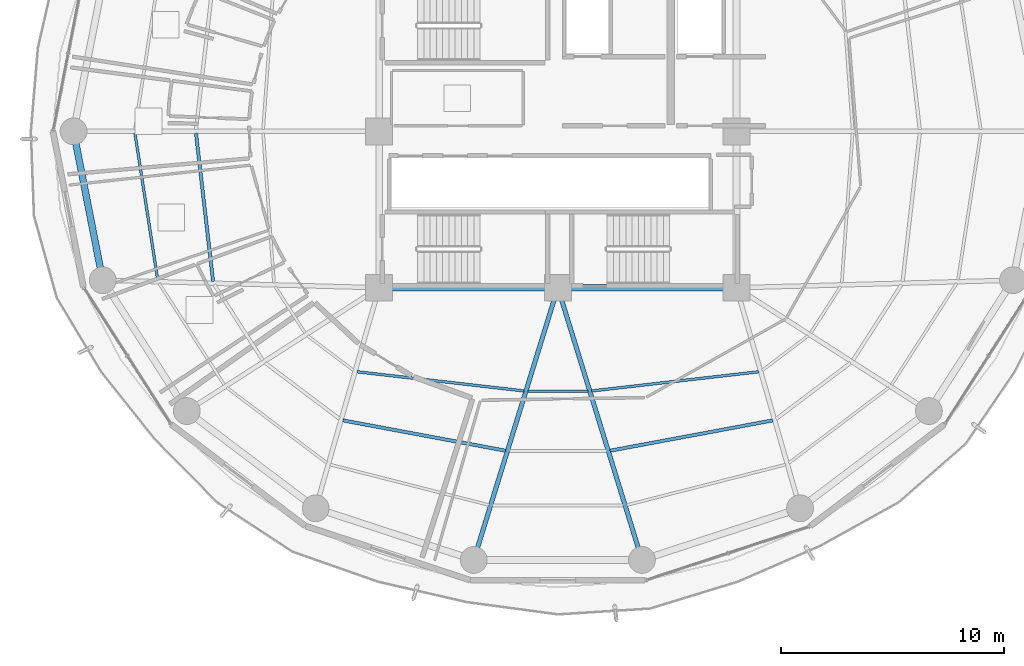
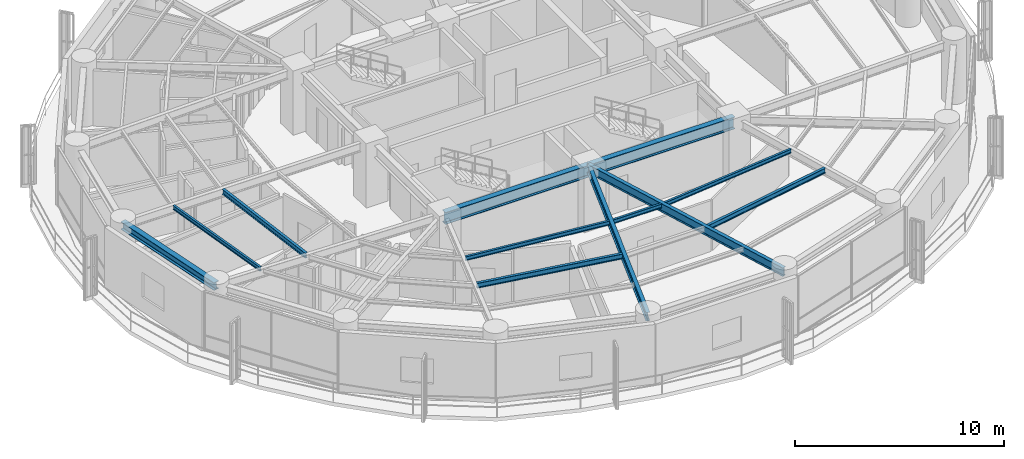
# One storey, part 5 of 27: 12 beams.
"""IFC4 building model written with IfcOpenShell, lengths in metres."""

from ifc_helpers import new_model, si_unit, direction, frame, origin, origin_2d, place, context, subcontext, project, spatial, i_section, extrude, material, material_profile, profile_set, type_object, element, save


model = new_model("IFC4")

# Units and contexts
model_context = context("Model", 3, precision=1e-05, world=origin(), true_north=direction((0.0, 1.0)))
body_context = subcontext(model_context, "Body", "Model", "MODEL_VIEW")
ifc_project = project(units=[si_unit("LENGTHUNIT", "METRE"), si_unit("AREAUNIT", "SQUARE_METRE"), si_unit("VOLUMEUNIT", "CUBIC_METRE"), si_unit("PLANEANGLEUNIT", "RADIAN"), si_unit("MASSUNIT", "GRAM", prefix="KILO")], contexts=[model_context])

# Site, building, storey
site_placement = place(None, origin())
site = spatial("IfcSite", under=ifc_project, at=site_placement, CompositionType="ELEMENT")
building_placement = place(site_placement, origin())
building = spatial("IfcBuilding", under=site, at=building_placement, Name="Kelanora Arch Commons", CompositionType="ELEMENT")
storey_placement = place(building_placement, frame((0.0, 0.0, 169.35009765625)))
storey = spatial("IfcBuildingStorey", under=building, at=storey_placement, Name="L43", CompositionType="ELEMENT", Elevation=169.35009765625)

# Beams
ifc_material = material(Name="Steel S355", Category="steel")
ifc_material_profile_1 = material_profile(ifc_material, i_section(OverallWidth=0.300048828125, OverallDepth=0.699951171875, WebThickness=0.01708984375, FlangeThickness=0.031982421875, FilletRadius=0.027099609375, at=origin_2d()), Name="HEB700")
ifc_profile_set_1 = profile_set([ifc_material_profile_1], Name="Steel S355")
beam_type_1 = type_object("IfcBeamType", Name="BM-CORE-HDR", PredefinedType="BEAM", material=ifc_profile_set_1)
for number, where, z_axis, x_axis, name in (
    (1, (66.0, 51.0, 3.139892578125), (1.0, 0.0, 0.0), (0.0, 1.0, 0.0), "Core Header Beam 01 L43"),
    (2, (74.0, 51.0, 3.139892578125), (1.0, 0.0, 0.0), (0.0, 1.0, 0.0), "Core Header Beam 02 L43"),
):
    element("IfcBeam", number, at=place(storey_placement, frame(where, z_axis=z_axis, x_axis=x_axis)), inside=storey, type_object=beam_type_1, Name=name, PredefinedType="BEAM", context=body_context, shape_type="SweptSolid", body=[
        extrude(i_section(OverallWidth=0.300048828125, OverallDepth=0.699951171875, WebThickness=0.01708984375, FlangeThickness=0.031982421875, FilletRadius=0.027099609375, at=origin_2d()), origin(), (0.0, 0.0, 1.0), 8.0),
    ])
ifc_material_profile_2 = material_profile(ifc_material, i_section(OverallWidth=0.14990234375, OverallDepth=0.300048828125, WebThickness=0.007080078125, FlangeThickness=0.0107421875, FilletRadius=0.014892578125, at=origin_2d()), Name="IPE300")
ifc_profile_set_2 = profile_set([ifc_material_profile_2], Name="Steel S355")
beam_type_2 = type_object("IfcBeamType", Name="BM-JST-01", PredefinedType="JOIST", material=ifc_profile_set_2)
beam_1_placement = place(storey_placement, frame((57.8017578125, 57.91552734375, 3.33984375), z_axis=(0.114667159005, -0.9934039675, 0.0), x_axis=(0.9934039675, 0.114667159005, 0.0)))
element("IfcBeam", 3, at=beam_1_placement, inside=storey, type_object=beam_type_2, Name="Secondary Chord Joist BJB-18 L43", PredefinedType="JOIST", context=body_context, shape_type="SweptSolid", body=[
    extrude(i_section(OverallWidth=0.14990234375, OverallDepth=0.300048828125, WebThickness=0.007080078125, FlangeThickness=0.0107421875, FilletRadius=0.014892578125, at=origin_2d()), origin(), (0.0, 0.0, 1.0), 6.672607421875),
])
for number, where, z_axis, x_axis, name in (
    (4, (64.379638671875, 45.062255859375, 3.33984375), (0.983054256126, -0.183314837134, 0.0), (0.183314837134, 0.983054256126, 0.0), "Secondary Chord Joist BJB-24 L43"),
    (5, (76.34228515625, 43.705078125, 3.33984375), (0.983054256126, 0.183314837134, 0.0), (-0.183314837134, 0.983054256126, 0.0), "Secondary Chord Joist BJB-28 L43"),
):
    element("IfcBeam", number, at=place(storey_placement, frame(where, z_axis=z_axis, x_axis=x_axis)), inside=storey, type_object=beam_type_2, Name=name, PredefinedType="JOIST", context=body_context, shape_type="SweptSolid", body=[
        extrude(i_section(OverallWidth=0.14990234375, OverallDepth=0.300048828125, WebThickness=0.007080078125, FlangeThickness=0.0107421875, FilletRadius=0.014892578125, at=origin_2d()), origin(), (0.0, 0.0, 1.0), 7.403564453125),
    ])
ifc_material_profile_3 = material_profile(ifc_material, i_section(OverallWidth=0.1201171875, OverallDepth=0.239990234375, WebThickness=0.006103515625, FlangeThickness=0.009765625, FilletRadius=0.014892578125, at=origin_2d()), Name="IPE240")
ifc_profile_set_3 = profile_set([ifc_material_profile_3], Name="Steel S355")
beam_type_3 = type_object("IfcBeamType", Name="BM-JST-02", PredefinedType="JOIST", material=ifc_profile_set_3)
beam_2_placement = place(storey_placement, frame((55.069091796875, 57.916015625, 3.369873046875), z_axis=(0.153562625853, -0.988138917329, 0.0), x_axis=(0.988138917329, 0.153562625853, 0.0)))
element("IfcBeam", 6, at=beam_2_placement, inside=storey, type_object=beam_type_3, Name="Secondary Chord Joist BJC-18 L43", PredefinedType="JOIST", context=body_context, shape_type="SweptSolid", body=[
    extrude(i_section(OverallWidth=0.1201171875, OverallDepth=0.239990234375, WebThickness=0.006103515625, FlangeThickness=0.009765625, FilletRadius=0.014892578125, at=origin_2d()), origin(), (0.0, 0.0, 1.0), 6.640869140625),
])
beam_3_placement = place(storey_placement, frame((65.005126953125, 47.239501953125, 3.369873046875), z_axis=(0.993457414184, -0.114203179475, 0.0), x_axis=(0.114203179475, 0.993457414184, 0.0)))
element("IfcBeam", 7, at=beam_3_placement, inside=storey, type_object=beam_type_3, Name="Secondary Chord Joist BJA-24 L43", PredefinedType="JOIST", context=body_context, shape_type="SweptSolid", body=[
    extrude(i_section(OverallWidth=0.1201171875, OverallDepth=0.239990234375, WebThickness=0.006103515625, FlangeThickness=0.009765625, FilletRadius=0.014892578125, at=origin_2d()), origin(), (0.0, 0.0, 1.0), 7.529296875),
])
beam_4_placement = place(storey_placement, frame((72.654296875, 46.3701171875, 3.369873046875), z_axis=(1.0, 0.0, 0.0), x_axis=(0.0, 1.0, 0.0)))
element("IfcBeam", 8, at=beam_4_placement, inside=storey, type_object=beam_type_3, Name="Secondary Chord Joist BJA-26 L43", PredefinedType="JOIST", context=body_context, shape_type="SweptSolid", body=[
    extrude(i_section(OverallWidth=0.1201171875, OverallDepth=0.239990234375, WebThickness=0.006103515625, FlangeThickness=0.009765625, FilletRadius=0.014892578125, at=origin_2d()), origin(), (0.0, 0.0, 1.0), 2.69140625),
])
beam_5_placement = place(storey_placement, frame((75.514892578125, 46.379638671875, 3.369873046875), z_axis=(0.993457414184, 0.114203179475, 0.0), x_axis=(-0.114203179475, 0.993457414184, 0.0)))
element("IfcBeam", 9, at=beam_5_placement, inside=storey, type_object=beam_type_3, Name="Secondary Chord Joist BJA-28 L43", PredefinedType="JOIST", context=body_context, shape_type="SweptSolid", body=[
    extrude(i_section(OverallWidth=0.1201171875, OverallDepth=0.239990234375, WebThickness=0.006103515625, FlangeThickness=0.009765625, FilletRadius=0.014892578125, at=origin_2d()), origin(), (0.0, 0.0, 1.0), 7.529296875),
])
ifc_material_profile_4 = material_profile(ifc_material, i_section(OverallWidth=0.199951171875, OverallDepth=0.5, WebThickness=0.01025390625, FlangeThickness=0.01611328125, FilletRadius=0.02099609375, at=origin_2d()), Name="IPE500")
ifc_profile_set_4 = profile_set([ifc_material_profile_4], Name="Steel S355")
beam_type_4 = type_object("IfcBeamType", Name="BM-RAD-Z3", PredefinedType="BEAM", material=ifc_profile_set_4)
for number, where, z_axis, x_axis, name in (
    (10, (74.0, 51.0, 3.239990234375), (-0.295210315095, -0.955432294755, 0.0), (0.955432294755, -0.295210315095, 0.0), "Radial Floor Girder BR-26 L43"),
    (11, (74.0, 51.0, 3.239990234375), (0.295210315095, -0.955432294755, 0.0), (0.955432294755, 0.295210315095, 0.0), "Radial Floor Girder BR-28 L43"),
):
    element("IfcBeam", number, at=place(storey_placement, frame(where, z_axis=z_axis, x_axis=x_axis)), inside=storey, type_object=beam_type_4, Name=name, PredefinedType="BEAM", context=body_context, shape_type="SweptSolid", body=[
        extrude(i_section(OverallWidth=0.199951171875, OverallDepth=0.5, WebThickness=0.01025390625, FlangeThickness=0.01611328125, FilletRadius=0.02099609375, at=origin_2d()), origin(), (0.0, 0.0, 1.0), 12.75244140625),
    ])
ifc_material_profile_5 = material_profile(ifc_material, i_section(OverallWidth=0.300048828125, OverallDepth=0.449951171875, WebThickness=0.013916015625, FlangeThickness=0.02587890625, FilletRadius=0.027099609375, at=origin_2d()), Name="HEB450")
ifc_profile_set_5 = profile_set([ifc_material_profile_5], Name="Steel S355")
beam_type_5 = type_object("IfcBeamType", Name="BM-SPN-Z3", PredefinedType="SPANDREL", material=ifc_profile_set_5)
beam_6_placement = place(storey_placement, frame((52.320068359375, 58.0, 3.264892578125), z_axis=(0.192553643556, -0.981286448675, 0.0), x_axis=(0.981286448675, 0.192553643556, 0.0)))
element("IfcBeam", 12, at=beam_6_placement, inside=storey, type_object=beam_type_5, Name="Perimeter Spandrel Beam BS-18 L43", PredefinedType="SPANDREL", context=body_context, shape_type="SweptSolid", body=[
    extrude(i_section(OverallWidth=0.300048828125, OverallDepth=0.449951171875, WebThickness=0.013916015625, FlangeThickness=0.02587890625, FilletRadius=0.027099609375, at=origin_2d()), origin(), (0.0, 0.0, 1.0), 6.78955078125),
])

save(model, "model.ifc")
